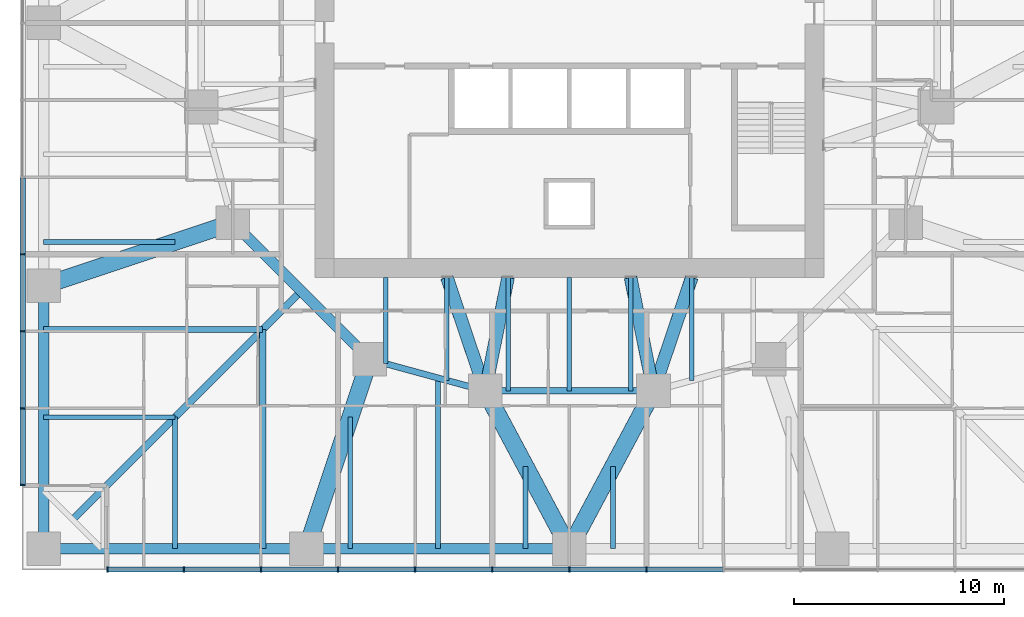
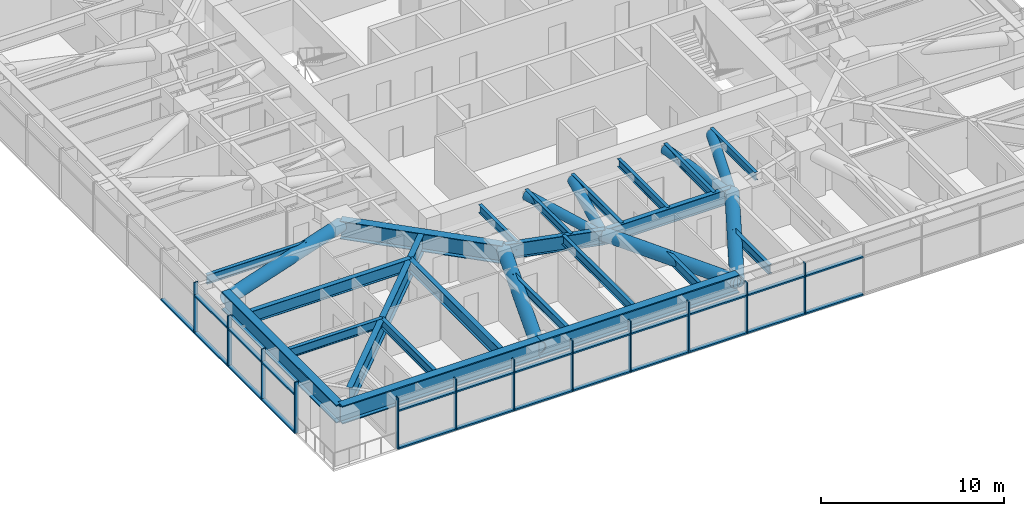
# One storey, part 2 of 17: 43 members, 22 beams, 2 elements without a shape of their own.
"""IFC4 building model written with IfcOpenShell, lengths in metres."""

import ifcopenshell
import ifcopenshell.guid

model = None  # the IFC model being written
_history = None  # IfcOwnerHistory: only IFC2X3 demands one
_inside = {}  # id of a spatial element -> (the spatial element, [elements in it])
_under = {}  # id of a project, library or spatial element -> (it, [spatial elements below it])
_declared = {}  # id of a project -> (the project, [libraries it declares])
_typed = {}  # id of a type object -> (the type object, [elements of that type])
_made_of = {}  # id of a material, layer set ... -> (it, [elements and type objects made of it])


def new_model(schema):
    """Start an empty IFC model of exactly this schema.

    Asked for "IFC4X3", IfcOpenShell would pick the latest addendum, in which some entities
    have other attributes; the version numbers below select the first issue.
    IFC2X3 requires an IfcOwnerHistory on every rooted entity: one is made here for all.
    """
    global model, _history
    if schema == "IFC4X3":
        model = ifcopenshell.file(schema_version=(4, 3, 0, 0))
    else:
        model = ifcopenshell.file(schema=schema)
    _inside.clear()
    _under.clear()
    _declared.clear()
    _typed.clear()
    _made_of.clear()
    _history = None
    if model.schema == "IFC2X3":
        org = make("IfcOrganization", Name="unknown")
        user = make(
            "IfcPersonAndOrganization",
            ThePerson=make("IfcPerson", FamilyName="unknown"),
            TheOrganization=org,
        )
        app = make(
            "IfcApplication",
            ApplicationDeveloper=org,
            Version="unknown",
            ApplicationFullName="unknown",
            ApplicationIdentifier="unknown",
        )
        _history = make(
            "IfcOwnerHistory",
            OwningUser=user,
            OwningApplication=app,
            ChangeAction="ADDED",
            CreationDate=0,
        )
    return model


def make(cls, **values):
    """One entity of the class cls with the attributes given. An attribute that is None is left unset."""
    return model.create_entity(
        cls, **{name: value for name, value in values.items() if value is not None}
    )


def rooted(cls, **values):
    """An entity with a GlobalId (a new one), such as an element, a storey or a relation."""
    return make(cls, GlobalId=ifcopenshell.guid.new(), OwnerHistory=_history, **values)


def si_unit(unit_type, name, prefix=None):
    """IfcSIUnit, for example si_unit("LENGTHUNIT", "METRE", prefix="MILLI")."""
    return make("IfcSIUnit", UnitType=unit_type, Prefix=prefix, Name=name)


def assignment(units):
    """IfcUnitAssignment: the units of a project."""
    return None if units is None else make("IfcUnitAssignment", Units=units)


def point(xyz):
    """IfcCartesianPoint."""
    return None if xyz is None else make("IfcCartesianPoint", Coordinates=xyz)


def direction(xyz):
    """IfcDirection."""
    return None if xyz is None else make("IfcDirection", DirectionRatios=xyz)


def frame(location, z_axis=None, x_axis=None):
    """IfcAxis2Placement3D, a coordinate frame: its origin and axes. An axis left out is left unset."""
    return make(
        "IfcAxis2Placement3D",
        Location=point(location),
        Axis=direction(z_axis),
        RefDirection=direction(x_axis),
    )


def frame_2d(location, x_axis=None):
    """IfcAxis2Placement2D, a coordinate frame in the plane: its origin and x axis."""
    return make(
        "IfcAxis2Placement2D", Location=point(location), RefDirection=direction(x_axis)
    )


def origin():
    """The frame at (0, 0, 0) with its axes left unset."""
    return frame((0.0, 0.0, 0.0))


def origin_2d():
    """The frame at (0, 0) in the plane with its x axis left unset."""
    return frame_2d((0.0, 0.0))


def place(relative_to, where):
    """IfcLocalPlacement: puts the frame where relative to a parent placement (None: the world)."""
    return make(
        "IfcLocalPlacement", PlacementRelTo=relative_to, RelativePlacement=where
    )


def context(
    kind, dimensions, precision=None, world=None, true_north=None, identifier=None
):
    """IfcGeometricRepresentationContext, for example the 3D "Model" context."""
    return make(
        "IfcGeometricRepresentationContext",
        ContextIdentifier=identifier,
        ContextType=kind,
        CoordinateSpaceDimension=dimensions,
        Precision=precision,
        WorldCoordinateSystem=world,
        TrueNorth=true_north,
    )


def subcontext(parent, identifier, kind, view, scale=None):
    """IfcGeometricRepresentationSubContext, for example "Body" below "Model"."""
    return make(
        "IfcGeometricRepresentationSubContext",
        ContextIdentifier=identifier,
        ContextType=kind,
        ParentContext=parent,
        TargetScale=scale,
        TargetView=view,
    )


def project(units=None, contexts=None):
    """IfcProject with its units and contexts."""
    return rooted(
        "IfcProject",
        Name="project",
        RepresentationContexts=contexts,
        UnitsInContext=assignment(units),
    )


def spatial(cls, under=None, at=None, **own):
    """A site, building, storey or space (cls), placed at a placement, below another one or the project."""
    s = rooted(cls, ObjectPlacement=at, **own)
    if under is not None:
        _under.setdefault(under.id(), (under, []))[1].append(s)
    return s


def profile(cls, at=None, kind="AREA", **sizes):
    """A parametric profile (cls). Its sizes go by their IFC names, for example OverallWidth=200.0."""
    return make(cls, ProfileType=kind, Position=at, **sizes)


def rectangle(**sizes):
    """IfcRectangleProfileDef."""
    return profile("IfcRectangleProfileDef", **sizes)


def hollow_circle(**sizes):
    """IfcCircleHollowProfileDef."""
    return profile("IfcCircleHollowProfileDef", **sizes)


def i_section(**sizes):
    """IfcIShapeProfileDef."""
    return profile("IfcIShapeProfileDef", **sizes)


def extrude(swept, where, along, depth):
    """IfcExtrudedAreaSolid: the profile swept, set in the frame where, extruded along a direction by depth."""
    return make(
        "IfcExtrudedAreaSolid",
        SweptArea=swept,
        Position=where,
        ExtrudedDirection=direction(along),
        Depth=depth,
    )


def shape(context_of_items, identifier, shape_type, items):
    """IfcShapeRepresentation: the items that make up one representation, for example the "Body"."""
    return make(
        "IfcShapeRepresentation",
        ContextOfItems=context_of_items,
        RepresentationIdentifier=identifier,
        RepresentationType=shape_type,
        Items=items,
    )


def material(Name=None, Category=None):
    """IfcMaterial."""
    return make("IfcMaterial", Name=Name, Category=Category)


def material_profile(
    of_material, cross_section, Name=None, Category=None, Priority=None
):
    """IfcMaterialProfile: a cross section and its material."""
    return make(
        "IfcMaterialProfile",
        Name=Name,
        Material=of_material,
        Profile=cross_section,
        Priority=Priority,
        Category=Category,
    )


def profile_set(profiles, Name=None, composite=None):
    """IfcMaterialProfileSet."""
    return make(
        "IfcMaterialProfileSet",
        Name=Name,
        MaterialProfiles=profiles,
        CompositeProfile=composite,
    )


def made_of(thing, what):
    """Note that an element or type object is made of a material, layer set ...; save() writes the relation."""
    if what is not None:
        _made_of.setdefault(what.id(), (what, []))[1].append(thing)
    return thing


def type_object(cls, material=None, **own):
    """A type object (cls), such as IfcWallType, which elements share."""
    return made_of(rooted(cls, **own), material)


def element(
    cls,
    number,
    at=None,
    inside=None,
    cuts=None,
    type_object=None,
    material=None,
    context=None,
    identifier="Body",
    shape_type=None,
    held_by="IfcProductDefinitionShape",
    body=None,
    shapes=None,
    **own,
):
    """One element of the class cls, such as IfcWall. Its Tag is "e" and its number.

    at: its placement. inside: the storey or other place that contains it. cuts: it is an
    opening in that element (IfcRelVoidsElement). A single representation is given by context,
    identifier, shape_type and body (its items); several are given by shapes. held_by: the class
    of the entity that holds the representations. save() writes the other relations.
    """
    e = rooted(cls, Tag="e%d" % number, ObjectPlacement=at, **own)
    if body is not None:
        shapes = [shape(context, identifier, shape_type, body)]
    if shapes is not None:
        e.Representation = make(held_by, Representations=shapes)
    if inside is not None:
        _inside.setdefault(inside.id(), (inside, []))[1].append(e)
    if cuts is not None:
        rooted(
            "IfcRelVoidsElement", RelatingBuildingElement=cuts, RelatedOpeningElement=e
        )
    if type_object is not None:
        _typed.setdefault(type_object.id(), (type_object, []))[1].append(e)
    return made_of(e, material)


def aggregate(whole, parts):
    """IfcRelAggregates: a whole, such as a stair, and the parts it consists of."""
    return rooted("IfcRelAggregates", RelatingObject=whole, RelatedObjects=parts)


def save(model, path):
    """Write the relations noted so far, then the file.

    IfcRelAggregates (storeys below a building ...), IfcRelContainedInSpatialStructure (elements
    in a storey), IfcRelDefinesByType, IfcRelAssociatesMaterial and IfcRelDeclares: one each for
    every whole, place, type object, material and project.
    """
    for whole, parts in _under.values():
        aggregate(whole, parts)
    for where, things in _inside.values():
        rooted(
            "IfcRelContainedInSpatialStructure",
            RelatedElements=things,
            RelatingStructure=where,
        )
    for kind, things in _typed.values():
        rooted("IfcRelDefinesByType", RelatedObjects=things, RelatingType=kind)
    for what, things in _made_of.values():
        rooted("IfcRelAssociatesMaterial", RelatedObjects=things, RelatingMaterial=what)
    for by, libraries in _declared.values():
        rooted("IfcRelDeclares", RelatingContext=by, RelatedDefinitions=libraries)
    model.write(path)


model = new_model("IFC4")

# Units and contexts
model_context = context("Model", 3, precision=1e-05, world=origin(), true_north=direction((0.0, 1.0)))
body_context = subcontext(model_context, "Body", "Model", "MODEL_VIEW")
ifc_project = project(units=[si_unit("LENGTHUNIT", "METRE"), si_unit("AREAUNIT", "SQUARE_METRE"), si_unit("VOLUMEUNIT", "CUBIC_METRE"), si_unit("PLANEANGLEUNIT", "RADIAN"), si_unit("MASSUNIT", "GRAM", prefix="KILO")], contexts=[model_context])

# Site, building, storey
site_placement = place(None, origin())
site = spatial("IfcSite", under=ifc_project, at=site_placement, CompositionType="ELEMENT")
building_placement = place(site_placement, origin())
building = spatial("IfcBuilding", under=site, at=building_placement, Name="Torsade Residences", CompositionType="ELEMENT")
storey_placement = place(building_placement, frame((0.0, 0.0, 38.800048828125)))
storey = spatial("IfcBuildingStorey", under=building, at=storey_placement, Name="L10", CompositionType="ELEMENT", Elevation=38.800048828125)

# Beam
ifc_material_1 = material(Name="Steel grade 300", Category="steel")
ifc_material_profile_1 = material_profile(ifc_material_1, i_section(OverallWidth=0.35009765625, OverallDepth=1.199951171875, WebThickness=0.01611328125, FlangeThickness=0.028076171875, at=origin_2d()), Name="1200WB278")
ifc_profile_set_1 = profile_set([ifc_material_profile_1], Name="Steel grade 300")
beam_type_1 = type_object("IfcBeamType", Name="CORNER GIRDER 1200WB278", PredefinedType="BEAM", material=ifc_profile_set_1)
beam_1_placement = place(storey_placement, frame((16.375, 6.375, 2.599853515625), z_axis=(0.707106781187, 0.707106781187, 0.0), x_axis=(-0.707106781187, 0.707106781187, 0.0)))
element("IfcBeam", 1, at=beam_1_placement, inside=storey, type_object=beam_type_1, Name="Corner girder 01 L11", PredefinedType="BEAM", context=body_context, shape_type="SweptSolid", body=[
    extrude(i_section(OverallWidth=0.35009765625, OverallDepth=1.199951171875, WebThickness=0.01611328125, FlangeThickness=0.028076171875, at=origin_2d()), origin(), (0.0, 0.0, 1.0), 15.379638671875),
])

# Curtain wall, members
ifc_material_2 = material(Name="Aluminium and glass", Category="aluminium")
curtain_wall_type = type_object("IfcCurtainWallType", Name="FRITTED GLASS CURTAIN WALL LOW ZONE", PredefinedType="NOTDEFINED", material=ifc_material_2)
curtain_wall_1_placement = place(storey_placement, origin())
curtain_wall_1 = element("IfcCurtainWall", 2, at=curtain_wall_1_placement, inside=storey, type_object=curtain_wall_type, Name="Curtain wall L10 face 1", PredefinedType="NOTDEFINED")
ifc_material_3 = material(Name="Aluminium mullion", Category="aluminium")
ifc_material_profile_2 = material_profile(ifc_material_3, rectangle(XDim=0.25, YDim=0.06494140625, at=origin_2d()), Name="CURTAIN WALL MULLION 250x65")
ifc_profile_set_2 = profile_set([ifc_material_profile_2], Name="Aluminium mullion")
member_type_1 = type_object("IfcMemberType", Name="CURTAIN WALL MULLION 250x65", PredefinedType="MULLION", material=ifc_profile_set_2)
member_1_placement = place(storey_placement, frame((18.032470703125, 4.0, 0.0), z_axis=(0.0, 0.0, 1.0), x_axis=(0.0, 1.0, 0.0)))
member_1 = element("IfcMember", 3, at=member_1_placement, type_object=member_type_1, Name="Mullion 1", PredefinedType="MULLION", context=body_context, shape_type="SweptSolid", body=[
    extrude(rectangle(XDim=0.25, YDim=0.06494140625, at=origin_2d()), origin(), (0.0, 0.0, 1.0), 3.39990234375),
])
member_2_placement = place(storey_placement, frame((21.666748046875, 4.0, 0.0), z_axis=(0.0, 0.0, 1.0), x_axis=(0.0, 1.0, 0.0)))
member_2 = element("IfcMember", 4, at=member_2_placement, type_object=member_type_1, Name="Mullion 2", PredefinedType="MULLION", context=body_context, shape_type="SweptSolid", body=[
    extrude(rectangle(XDim=0.25, YDim=0.06494140625, at=origin_2d()), origin(), (0.0, 0.0, 1.0), 3.39990234375),
])
member_3_placement = place(storey_placement, frame((25.333251953125, 4.0, 0.0), z_axis=(0.0, 0.0, 1.0), x_axis=(0.0, 1.0, 0.0)))
member_3 = element("IfcMember", 5, at=member_3_placement, type_object=member_type_1, Name="Mullion 3", PredefinedType="MULLION", context=body_context, shape_type="SweptSolid", body=[
    extrude(rectangle(XDim=0.25, YDim=0.06494140625, at=origin_2d()), origin(), (0.0, 0.0, 1.0), 3.39990234375),
])
member_4_placement = place(storey_placement, frame((29.0, 4.0, 0.0), z_axis=(0.0, 0.0, 1.0), x_axis=(0.0, 1.0, 0.0)))
member_4 = element("IfcMember", 6, at=member_4_placement, type_object=member_type_1, Name="Mullion 4", PredefinedType="MULLION", context=body_context, shape_type="SweptSolid", body=[
    extrude(rectangle(XDim=0.25, YDim=0.06494140625, at=origin_2d()), origin(), (0.0, 0.0, 1.0), 3.39990234375),
])
member_5_placement = place(storey_placement, frame((32.666748046875, 4.0, 0.0), z_axis=(0.0, 0.0, 1.0), x_axis=(0.0, 1.0, 0.0)))
member_5 = element("IfcMember", 7, at=member_5_placement, type_object=member_type_1, Name="Mullion 5", PredefinedType="MULLION", context=body_context, shape_type="SweptSolid", body=[
    extrude(rectangle(XDim=0.25, YDim=0.06494140625, at=origin_2d()), origin(), (0.0, 0.0, 1.0), 3.39990234375),
])
member_6_placement = place(storey_placement, frame((36.333251953125, 4.0, 0.0), z_axis=(0.0, 0.0, 1.0), x_axis=(0.0, 1.0, 0.0)))
member_6 = element("IfcMember", 8, at=member_6_placement, type_object=member_type_1, Name="Mullion 6", PredefinedType="MULLION", context=body_context, shape_type="SweptSolid", body=[
    extrude(rectangle(XDim=0.25, YDim=0.06494140625, at=origin_2d()), origin(), (0.0, 0.0, 1.0), 3.39990234375),
])
member_7_placement = place(storey_placement, frame((40.0, 4.0, 0.0), z_axis=(0.0, 0.0, 1.0), x_axis=(0.0, 1.0, 0.0)))
member_7 = element("IfcMember", 9, at=member_7_placement, type_object=member_type_1, Name="Mullion 7", PredefinedType="MULLION", context=body_context, shape_type="SweptSolid", body=[
    extrude(rectangle(XDim=0.25, YDim=0.06494140625, at=origin_2d()), origin(), (0.0, 0.0, 1.0), 3.39990234375),
])
member_8_placement = place(storey_placement, frame((43.666748046875, 4.0, 0.0), z_axis=(0.0, 0.0, 1.0), x_axis=(0.0, 1.0, 0.0)))
member_8 = element("IfcMember", 10, at=member_8_placement, type_object=member_type_1, Name="Mullion 8", PredefinedType="MULLION", context=body_context, shape_type="SweptSolid", body=[
    extrude(rectangle(XDim=0.25, YDim=0.06494140625, at=origin_2d()), origin(), (0.0, 0.0, 1.0), 3.39990234375),
])

curtain_wall_2_placement = place(storey_placement, origin())
curtain_wall_2 = element("IfcCurtainWall", 11, at=curtain_wall_2_placement, inside=storey, type_object=curtain_wall_type, Name="Curtain wall L10 face 10", PredefinedType="NOTDEFINED")
member_9_placement = place(storey_placement, frame((14.0, 19.0, 0.0), z_axis=(0.0, 0.0, 1.0), x_axis=(1.0, 0.0, 0.0)))
member_9 = element("IfcMember", 12, at=member_9_placement, type_object=member_type_1, Name="Mullion 10", PredefinedType="MULLION", context=body_context, shape_type="SweptSolid", body=[
    extrude(rectangle(XDim=0.25, YDim=0.06494140625, at=origin_2d()), origin(), (0.0, 0.0, 1.0), 3.39990234375),
])
member_10_placement = place(storey_placement, frame((14.0, 15.333251953125, 0.0), z_axis=(0.0, 0.0, 1.0), x_axis=(1.0, 0.0, 0.0)))
member_10 = element("IfcMember", 13, at=member_10_placement, type_object=member_type_1, Name="Mullion 11", PredefinedType="MULLION", context=body_context, shape_type="SweptSolid", body=[
    extrude(rectangle(XDim=0.25, YDim=0.06494140625, at=origin_2d()), origin(), (0.0, 0.0, 1.0), 3.39990234375),
])
member_11_placement = place(storey_placement, frame((14.0, 11.666748046875, 0.0), z_axis=(0.0, 0.0, 1.0), x_axis=(1.0, 0.0, 0.0)))
member_11 = element("IfcMember", 14, at=member_11_placement, type_object=member_type_1, Name="Mullion 12", PredefinedType="MULLION", context=body_context, shape_type="SweptSolid", body=[
    extrude(rectangle(XDim=0.25, YDim=0.06494140625, at=origin_2d()), origin(), (0.0, 0.0, 1.0), 3.39990234375),
])
member_12_placement = place(storey_placement, frame((14.0, 8.032470703125, 0.0), z_axis=(0.0, 0.0, 1.0), x_axis=(1.0, 0.0, 0.0)))
member_12 = element("IfcMember", 15, at=member_12_placement, type_object=member_type_1, Name="Mullion 13", PredefinedType="MULLION", context=body_context, shape_type="SweptSolid", body=[
    extrude(rectangle(XDim=0.25, YDim=0.06494140625, at=origin_2d()), origin(), (0.0, 0.0, 1.0), 3.39990234375),
])

# Member
ifc_material_4 = material(Name="Aluminium transom", Category="aluminium")
ifc_material_profile_3 = material_profile(ifc_material_4, rectangle(XDim=0.25, YDim=0.10009765625, at=origin_2d()), Name="CURTAIN WALL TRANSOM 250x100")
ifc_profile_set_3 = profile_set([ifc_material_profile_3], Name="Aluminium transom")
member_type_2 = type_object("IfcMemberType", Name="CURTAIN WALL TRANSOM 250x100", PredefinedType="USERDEFINED", material=ifc_profile_set_3)
member_13_placement = place(storey_placement, frame((18.06494140625, 4.0, 0.050048828125), z_axis=(1.0, 0.0, 0.0), x_axis=(0.0, 1.0, 0.0)))
member_13 = element("IfcMember", 16, at=member_13_placement, type_object=member_type_2, Name="Transom 1.1", ObjectType="TRANSOM", PredefinedType="USERDEFINED", context=body_context, shape_type="SweptSolid", body=[
    extrude(rectangle(XDim=0.25, YDim=0.10009765625, at=origin_2d()), origin(), (0.0, 0.0, 1.0), 3.5693359375),
])

member_14_placement = place(storey_placement, frame((18.06494140625, 4.0, 2.550048828125), z_axis=(1.0, 0.0, 0.0), x_axis=(0.0, 1.0, 0.0)))
member_14 = element("IfcMember", 17, at=member_14_placement, type_object=member_type_2, Name="Transom 1.2", ObjectType="TRANSOM", PredefinedType="USERDEFINED", context=body_context, shape_type="SweptSolid", body=[
    extrude(rectangle(XDim=0.25, YDim=0.10009765625, at=origin_2d()), origin(), (0.0, 0.0, 1.0), 3.5693359375),
])

member_15_placement = place(storey_placement, frame((21.69921875, 4.0, 0.050048828125), z_axis=(1.0, 0.0, 0.0), x_axis=(0.0, 1.0, 0.0)))
member_15 = element("IfcMember", 18, at=member_15_placement, type_object=member_type_2, Name="Transom 2.1", ObjectType="TRANSOM", PredefinedType="USERDEFINED", context=body_context, shape_type="SweptSolid", body=[
    extrude(rectangle(XDim=0.25, YDim=0.10009765625, at=origin_2d()), origin(), (0.0, 0.0, 1.0), 3.6015625),
])

member_16_placement = place(storey_placement, frame((21.69921875, 4.0, 2.550048828125), z_axis=(1.0, 0.0, 0.0), x_axis=(0.0, 1.0, 0.0)))
member_16 = element("IfcMember", 19, at=member_16_placement, type_object=member_type_2, Name="Transom 2.2", ObjectType="TRANSOM", PredefinedType="USERDEFINED", context=body_context, shape_type="SweptSolid", body=[
    extrude(rectangle(XDim=0.25, YDim=0.10009765625, at=origin_2d()), origin(), (0.0, 0.0, 1.0), 3.6015625),
])

member_17_placement = place(storey_placement, frame((25.36572265625, 4.0, 0.050048828125), z_axis=(1.0, 0.0, 0.0), x_axis=(0.0, 1.0, 0.0)))
member_17 = element("IfcMember", 20, at=member_17_placement, type_object=member_type_2, Name="Transom 3.1", ObjectType="TRANSOM", PredefinedType="USERDEFINED", context=body_context, shape_type="SweptSolid", body=[
    extrude(rectangle(XDim=0.25, YDim=0.10009765625, at=origin_2d()), origin(), (0.0, 0.0, 1.0), 3.601806640625),
])

member_18_placement = place(storey_placement, frame((25.36572265625, 4.0, 2.550048828125), z_axis=(1.0, 0.0, 0.0), x_axis=(0.0, 1.0, 0.0)))
member_18 = element("IfcMember", 21, at=member_18_placement, type_object=member_type_2, Name="Transom 3.2", ObjectType="TRANSOM", PredefinedType="USERDEFINED", context=body_context, shape_type="SweptSolid", body=[
    extrude(rectangle(XDim=0.25, YDim=0.10009765625, at=origin_2d()), origin(), (0.0, 0.0, 1.0), 3.601806640625),
])

member_19_placement = place(storey_placement, frame((29.032470703125, 4.0, 0.050048828125), z_axis=(1.0, 0.0, 0.0), x_axis=(0.0, 1.0, 0.0)))
member_19 = element("IfcMember", 22, at=member_19_placement, type_object=member_type_2, Name="Transom 4.1", ObjectType="TRANSOM", PredefinedType="USERDEFINED", context=body_context, shape_type="SweptSolid", body=[
    extrude(rectangle(XDim=0.25, YDim=0.10009765625, at=origin_2d()), origin(), (0.0, 0.0, 1.0), 3.601806640625),
])

member_20_placement = place(storey_placement, frame((29.032470703125, 4.0, 2.550048828125), z_axis=(1.0, 0.0, 0.0), x_axis=(0.0, 1.0, 0.0)))
member_20 = element("IfcMember", 23, at=member_20_placement, type_object=member_type_2, Name="Transom 4.2", ObjectType="TRANSOM", PredefinedType="USERDEFINED", context=body_context, shape_type="SweptSolid", body=[
    extrude(rectangle(XDim=0.25, YDim=0.10009765625, at=origin_2d()), origin(), (0.0, 0.0, 1.0), 3.601806640625),
])

member_21_placement = place(storey_placement, frame((32.69921875, 4.0, 0.050048828125), z_axis=(1.0, 0.0, 0.0), x_axis=(0.0, 1.0, 0.0)))
member_21 = element("IfcMember", 24, at=member_21_placement, type_object=member_type_2, Name="Transom 5.1", ObjectType="TRANSOM", PredefinedType="USERDEFINED", context=body_context, shape_type="SweptSolid", body=[
    extrude(rectangle(XDim=0.25, YDim=0.10009765625, at=origin_2d()), origin(), (0.0, 0.0, 1.0), 3.6015625),
])

member_22_placement = place(storey_placement, frame((32.69921875, 4.0, 2.550048828125), z_axis=(1.0, 0.0, 0.0), x_axis=(0.0, 1.0, 0.0)))
member_22 = element("IfcMember", 25, at=member_22_placement, type_object=member_type_2, Name="Transom 5.2", ObjectType="TRANSOM", PredefinedType="USERDEFINED", context=body_context, shape_type="SweptSolid", body=[
    extrude(rectangle(XDim=0.25, YDim=0.10009765625, at=origin_2d()), origin(), (0.0, 0.0, 1.0), 3.6015625),
])

member_23_placement = place(storey_placement, frame((36.36572265625, 4.0, 0.050048828125), z_axis=(1.0, 0.0, 0.0), x_axis=(0.0, 1.0, 0.0)))
member_23 = element("IfcMember", 26, at=member_23_placement, type_object=member_type_2, Name="Transom 6.1", ObjectType="TRANSOM", PredefinedType="USERDEFINED", context=body_context, shape_type="SweptSolid", body=[
    extrude(rectangle(XDim=0.25, YDim=0.10009765625, at=origin_2d()), origin(), (0.0, 0.0, 1.0), 3.601806640625),
])

member_24_placement = place(storey_placement, frame((36.36572265625, 4.0, 2.550048828125), z_axis=(1.0, 0.0, 0.0), x_axis=(0.0, 1.0, 0.0)))
member_24 = element("IfcMember", 27, at=member_24_placement, type_object=member_type_2, Name="Transom 6.2", ObjectType="TRANSOM", PredefinedType="USERDEFINED", context=body_context, shape_type="SweptSolid", body=[
    extrude(rectangle(XDim=0.25, YDim=0.10009765625, at=origin_2d()), origin(), (0.0, 0.0, 1.0), 3.601806640625),
])

member_25_placement = place(storey_placement, frame((40.032470703125, 4.0, 0.050048828125), z_axis=(1.0, 0.0, 0.0), x_axis=(0.0, 1.0, 0.0)))
member_25 = element("IfcMember", 28, at=member_25_placement, type_object=member_type_2, Name="Transom 7.1", ObjectType="TRANSOM", PredefinedType="USERDEFINED", context=body_context, shape_type="SweptSolid", body=[
    extrude(rectangle(XDim=0.25, YDim=0.10009765625, at=origin_2d()), origin(), (0.0, 0.0, 1.0), 3.601806640625),
])

member_26_placement = place(storey_placement, frame((40.032470703125, 4.0, 2.550048828125), z_axis=(1.0, 0.0, 0.0), x_axis=(0.0, 1.0, 0.0)))
member_26 = element("IfcMember", 29, at=member_26_placement, type_object=member_type_2, Name="Transom 7.2", ObjectType="TRANSOM", PredefinedType="USERDEFINED", context=body_context, shape_type="SweptSolid", body=[
    extrude(rectangle(XDim=0.25, YDim=0.10009765625, at=origin_2d()), origin(), (0.0, 0.0, 1.0), 3.601806640625),
])

member_27_placement = place(storey_placement, frame((43.69921875, 4.0, 0.050048828125), z_axis=(1.0, 0.0, 0.0), x_axis=(0.0, 1.0, 0.0)))
member_27 = element("IfcMember", 30, at=member_27_placement, type_object=member_type_2, Name="Transom 8.1", ObjectType="TRANSOM", PredefinedType="USERDEFINED", context=body_context, shape_type="SweptSolid", body=[
    extrude(rectangle(XDim=0.25, YDim=0.10009765625, at=origin_2d()), origin(), (0.0, 0.0, 1.0), 3.6015625),
])

member_28_placement = place(storey_placement, frame((43.69921875, 4.0, 2.550048828125), z_axis=(1.0, 0.0, 0.0), x_axis=(0.0, 1.0, 0.0)))
member_28 = element("IfcMember", 31, at=member_28_placement, type_object=member_type_2, Name="Transom 8.2", ObjectType="TRANSOM", PredefinedType="USERDEFINED", context=body_context, shape_type="SweptSolid", body=[
    extrude(rectangle(XDim=0.25, YDim=0.10009765625, at=origin_2d()), origin(), (0.0, 0.0, 1.0), 3.6015625),
])

aggregate(curtain_wall_1, [member_1, member_2, member_3, member_4, member_5, member_6, member_7, member_8, member_13, member_14, member_15, member_16, member_17, member_18, member_19, member_20, member_21, member_22, member_23, member_24, member_25, member_26, member_27, member_28])

member_29_placement = place(storey_placement, frame((14.0, 22.63427734375, 0.050048828125), z_axis=(0.0, -1.0, 0.0), x_axis=(1.0, 0.0, 0.0)))
member_29 = element("IfcMember", 32, at=member_29_placement, type_object=member_type_2, Name="Transom 9.1", ObjectType="TRANSOM", PredefinedType="USERDEFINED", context=body_context, shape_type="SweptSolid", body=[
    extrude(rectangle(XDim=0.25, YDim=0.10009765625, at=origin_2d()), origin(), (0.0, 0.0, 1.0), 3.601806640625),
])

member_30_placement = place(storey_placement, frame((14.0, 18.967529296875, 0.050048828125), z_axis=(0.0, -1.0, 0.0), x_axis=(1.0, 0.0, 0.0)))
member_30 = element("IfcMember", 33, at=member_30_placement, type_object=member_type_2, Name="Transom 10.1", ObjectType="TRANSOM", PredefinedType="USERDEFINED", context=body_context, shape_type="SweptSolid", body=[
    extrude(rectangle(XDim=0.25, YDim=0.10009765625, at=origin_2d()), origin(), (0.0, 0.0, 1.0), 3.601806640625),
])

member_31_placement = place(storey_placement, frame((14.0, 18.967529296875, 2.550048828125), z_axis=(0.0, -1.0, 0.0), x_axis=(1.0, 0.0, 0.0)))
member_31 = element("IfcMember", 34, at=member_31_placement, type_object=member_type_2, Name="Transom 10.2", ObjectType="TRANSOM", PredefinedType="USERDEFINED", context=body_context, shape_type="SweptSolid", body=[
    extrude(rectangle(XDim=0.25, YDim=0.10009765625, at=origin_2d()), origin(), (0.0, 0.0, 1.0), 3.601806640625),
])

member_32_placement = place(storey_placement, frame((14.0, 15.30078125, 0.050048828125), z_axis=(0.0, -1.0, 0.0), x_axis=(1.0, 0.0, 0.0)))
member_32 = element("IfcMember", 35, at=member_32_placement, type_object=member_type_2, Name="Transom 11.1", ObjectType="TRANSOM", PredefinedType="USERDEFINED", context=body_context, shape_type="SweptSolid", body=[
    extrude(rectangle(XDim=0.25, YDim=0.10009765625, at=origin_2d()), origin(), (0.0, 0.0, 1.0), 3.6015625),
])

member_33_placement = place(storey_placement, frame((14.0, 15.30078125, 2.550048828125), z_axis=(0.0, -1.0, 0.0), x_axis=(1.0, 0.0, 0.0)))
member_33 = element("IfcMember", 36, at=member_33_placement, type_object=member_type_2, Name="Transom 11.2", ObjectType="TRANSOM", PredefinedType="USERDEFINED", context=body_context, shape_type="SweptSolid", body=[
    extrude(rectangle(XDim=0.25, YDim=0.10009765625, at=origin_2d()), origin(), (0.0, 0.0, 1.0), 3.6015625),
])

member_34_placement = place(storey_placement, frame((14.0, 11.63427734375, 0.050048828125), z_axis=(0.0, -1.0, 0.0), x_axis=(1.0, 0.0, 0.0)))
member_34 = element("IfcMember", 37, at=member_34_placement, type_object=member_type_2, Name="Transom 12.1", ObjectType="TRANSOM", PredefinedType="USERDEFINED", context=body_context, shape_type="SweptSolid", body=[
    extrude(rectangle(XDim=0.25, YDim=0.10009765625, at=origin_2d()), origin(), (0.0, 0.0, 1.0), 3.5693359375),
])

member_35_placement = place(storey_placement, frame((14.0, 11.63427734375, 2.550048828125), z_axis=(0.0, -1.0, 0.0), x_axis=(1.0, 0.0, 0.0)))
member_35 = element("IfcMember", 38, at=member_35_placement, type_object=member_type_2, Name="Transom 12.2", ObjectType="TRANSOM", PredefinedType="USERDEFINED", context=body_context, shape_type="SweptSolid", body=[
    extrude(rectangle(XDim=0.25, YDim=0.10009765625, at=origin_2d()), origin(), (0.0, 0.0, 1.0), 3.5693359375),
])

aggregate(curtain_wall_2, [member_9, member_10, member_11, member_12, member_29, member_30, member_31, member_32, member_33, member_34, member_35])

# Beams
ifc_material_5 = material(Name="Steel grade 300", Category="steel")
ifc_material_profile_4 = material_profile(ifc_material_5, i_section(OverallWidth=0.208984375, OverallDepth=0.528076171875, WebThickness=0.009521484375, FlangeThickness=0.01318359375, FilletRadius=0.013916015625, at=origin_2d()), Name="530UB82.0")
ifc_profile_set_4 = profile_set([ifc_material_profile_4], Name="Steel grade 300")
beam_type_2 = type_object("IfcBeamType", Name="INNER FLOOR BEAM 530UB82.0", PredefinedType="JOIST", material=ifc_profile_set_4)
beam_2_placement = place(storey_placement, frame((45.824951171875, 17.89990234375, 2.93603515625), z_axis=(0.0, -1.0, 0.0), x_axis=(1.0, 0.0, 0.0)))
element("IfcBeam", 39, at=beam_2_placement, inside=storey, type_object=beam_type_2, Name="Inner floor beam IS02 L11", PredefinedType="JOIST", context=body_context, shape_type="SweptSolid", body=[
    extrude(i_section(OverallWidth=0.208984375, OverallDepth=0.528076171875, WebThickness=0.009521484375, FlangeThickness=0.01318359375, FilletRadius=0.013916015625, at=origin_2d()), origin(), (0.0, 0.0, 1.0), 4.902099609375),
])
for number, where, z_axis, x_axis, name in (
    (40, (42.91259765625, 17.89990234375, 2.93603515625), (0.0, -1.0, 0.0), (1.0, 0.0, 0.0), "Inner floor beam IS03 L11"),
    (41, (40.0, 17.89990234375, 2.93603515625), (0.0, -1.0, 0.0), (1.0, 0.0, 0.0), "Inner floor beam IS04 L11"),
    (42, (37.08740234375, 17.89990234375, 2.93603515625), (0.0, -1.0, 0.0), (1.0, 0.0, 0.0), "Inner floor beam IS05 L11"),
):
    element("IfcBeam", number, at=place(storey_placement, frame(where, z_axis=z_axis, x_axis=x_axis)), inside=storey, type_object=beam_type_2, Name=name, PredefinedType="JOIST", context=body_context, shape_type="SweptSolid", body=[
        extrude(i_section(OverallWidth=0.208984375, OverallDepth=0.528076171875, WebThickness=0.009521484375, FlangeThickness=0.01318359375, FilletRadius=0.013916015625, at=origin_2d()), origin(), (0.0, 0.0, 1.0), 5.39990234375),
    ])
beam_3_placement = place(storey_placement, frame((34.175048828125, 17.89990234375, 2.93603515625), z_axis=(0.0, -1.0, 0.0), x_axis=(1.0, 0.0, 0.0)))
element("IfcBeam", 43, at=beam_3_placement, inside=storey, type_object=beam_type_2, Name="Inner floor beam IS06 L11", PredefinedType="JOIST", context=body_context, shape_type="SweptSolid", body=[
    extrude(i_section(OverallWidth=0.208984375, OverallDepth=0.528076171875, WebThickness=0.009521484375, FlangeThickness=0.01318359375, FilletRadius=0.013916015625, at=origin_2d()), origin(), (0.0, 0.0, 1.0), 4.902099609375),
])
beam_4_placement = place(storey_placement, frame((31.262451171875, 17.89990234375, 2.93603515625), z_axis=(0.0, -1.0, 0.0), x_axis=(1.0, 0.0, 0.0)))
element("IfcBeam", 44, at=beam_4_placement, inside=storey, type_object=beam_type_2, Name="Inner floor beam IS07 L11", PredefinedType="JOIST", context=body_context, shape_type="SweptSolid", body=[
    extrude(i_section(OverallWidth=0.208984375, OverallDepth=0.528076171875, WebThickness=0.009521484375, FlangeThickness=0.01318359375, FilletRadius=0.013916015625, at=origin_2d()), origin(), (0.0, 0.0, 1.0), 4.10791015625),
])
ifc_material_6 = material(Name="Steel grade 300", Category="steel")
ifc_material_profile_5 = material_profile(ifc_material_6, i_section(OverallWidth=0.5, OverallDepth=1.199951171875, WebThickness=0.01611328125, FlangeThickness=0.0400390625, at=origin_2d()), Name="1200WB455")
ifc_profile_set_5 = profile_set([ifc_material_profile_5], Name="Steel grade 300")
beam_type_3 = type_object("IfcBeamType", Name="RING CORNER GIRDER 1200WB455", PredefinedType="BEAM", material=ifc_profile_set_5)
beam_5_placement = place(storey_placement, frame((24.0, 20.5, 2.599853515625), z_axis=(0.707106781187, -0.707106781187, 0.0), x_axis=(0.707106781187, 0.707106781187, 0.0)))
element("IfcBeam", 45, at=beam_5_placement, inside=storey, type_object=beam_type_3, Name="Ring girder IR11 L11", PredefinedType="BEAM", context=body_context, shape_type="SweptSolid", body=[
    extrude(i_section(OverallWidth=0.5, OverallDepth=1.199951171875, WebThickness=0.01611328125, FlangeThickness=0.0400390625, at=origin_2d()), origin(), (0.0, 0.0, 1.0), 9.1923828125),
])
ifc_material_7 = material(Name="Steel grade 300", Category="steel")
ifc_material_profile_6 = material_profile(ifc_material_7, i_section(OverallWidth=0.300048828125, OverallDepth=1.0, WebThickness=0.01611328125, FlangeThickness=0.028076171875, at=origin_2d()), Name="1000WB215")
ifc_profile_set_6 = profile_set([ifc_material_profile_6], Name="Steel grade 300")
beam_type_4 = type_object("IfcBeamType", Name="RING GIRDER 1000WB215", PredefinedType="BEAM", material=ifc_profile_set_6)
beam_6_placement = place(storey_placement, frame((30.5, 14.0, 2.699951171875), z_axis=(0.964763821238, -0.263117405792, 0.0), x_axis=(0.263117405792, 0.964763821238, 0.0)))
element("IfcBeam", 46, at=beam_6_placement, inside=storey, type_object=beam_type_4, Name="Ring girder IR12 L11", PredefinedType="BEAM", context=body_context, shape_type="SweptSolid", body=[
    extrude(i_section(OverallWidth=0.300048828125, OverallDepth=1.0, WebThickness=0.01611328125, FlangeThickness=0.028076171875, at=origin_2d()), origin(), (0.0, 0.0, 1.0), 5.700927734375),
])
beam_7_placement = place(storey_placement, frame((36.0, 12.5, 2.699951171875), z_axis=(1.0, 0.0, 0.0), x_axis=(0.0, 1.0, 0.0)))
element("IfcBeam", 47, at=beam_7_placement, inside=storey, type_object=beam_type_4, Name="Ring girder IR13 L11", PredefinedType="BEAM", context=body_context, shape_type="SweptSolid", body=[
    extrude(i_section(OverallWidth=0.300048828125, OverallDepth=1.0, WebThickness=0.01611328125, FlangeThickness=0.028076171875, at=origin_2d()), origin(), (0.0, 0.0, 1.0), 8.0),
])
ifc_material_8 = material(Name="Steel grade 300", Category="steel")
ifc_material_profile_7 = material_profile(ifc_material_8, i_section(OverallWidth=0.22900390625, OverallDepth=0.612060546875, WebThickness=0.011962890625, FlangeThickness=0.01953125, FilletRadius=0.013916015625, at=origin_2d()), Name="610UB125")
ifc_profile_set_7 = profile_set([ifc_material_profile_7], Name="Steel grade 300")
beam_type_5 = type_object("IfcBeamType", Name="SECONDARY BEAM 610UB125", PredefinedType="JOIST", material=ifc_profile_set_7)
for number, where, z_axis, x_axis, name in (
    (48, (21.25, 5.0, 2.89404296875), (0.0, 1.0, 0.0), (-1.0, 0.0, 0.0), "Floor beam FS02 L11"),
    (49, (29.583251953125, 5.0, 2.89404296875), (0.0, 1.0, 0.0), (-1.0, 0.0, 0.0), "Floor beam FS04 L11"),
):
    element("IfcBeam", number, at=place(storey_placement, frame(where, z_axis=z_axis, x_axis=x_axis)), inside=storey, type_object=beam_type_5, Name=name, PredefinedType="JOIST", context=body_context, shape_type="SweptSolid", body=[
        extrude(i_section(OverallWidth=0.22900390625, OverallDepth=0.612060546875, WebThickness=0.011962890625, FlangeThickness=0.01953125, FilletRadius=0.013916015625, at=origin_2d()), origin(), (0.0, 0.0, 1.0), 6.25),
    ])
beam_8_placement = place(storey_placement, frame((33.75, 5.0, 2.89404296875), z_axis=(0.0, 1.0, 0.0), x_axis=(-1.0, 0.0, 0.0)))
element("IfcBeam", 50, at=beam_8_placement, inside=storey, type_object=beam_type_5, Name="Floor beam FS05 L11", PredefinedType="JOIST", context=body_context, shape_type="SweptSolid", body=[
    extrude(i_section(OverallWidth=0.22900390625, OverallDepth=0.612060546875, WebThickness=0.011962890625, FlangeThickness=0.01953125, FilletRadius=0.013916015625, at=origin_2d()), origin(), (0.0, 0.0, 1.0), 8.113525390625),
])
for number, where, z_axis, x_axis, name in (
    (51, (37.916748046875, 5.0, 2.89404296875), (0.0, 1.0, 0.0), (-1.0, 0.0, 0.0), "Floor beam FS06 L11"),
    (52, (42.083251953125, 5.0, 2.89404296875), (0.0, 1.0, 0.0), (-1.0, 0.0, 0.0), "Floor beam FS07 L11"),
):
    element("IfcBeam", number, at=place(storey_placement, frame(where, z_axis=z_axis, x_axis=x_axis)), inside=storey, type_object=beam_type_5, Name=name, PredefinedType="JOIST", context=body_context, shape_type="SweptSolid", body=[
        extrude(i_section(OverallWidth=0.22900390625, OverallDepth=0.612060546875, WebThickness=0.011962890625, FlangeThickness=0.01953125, FilletRadius=0.013916015625, at=origin_2d()), origin(), (0.0, 0.0, 1.0), 3.90625),
    ])
for number, where, z_axis, x_axis, name in (
    (53, (15.0, 19.583251953125, 2.89404296875), (1.0, 0.0, 0.0), (0.0, 1.0, 0.0), "Floor beam FW09 L11"),
    (54, (15.0, 11.25, 2.89404296875), (1.0, 0.0, 0.0), (0.0, 1.0, 0.0), "Floor beam FW11 L11"),
):
    element("IfcBeam", number, at=place(storey_placement, frame(where, z_axis=z_axis, x_axis=x_axis)), inside=storey, type_object=beam_type_5, Name=name, PredefinedType="JOIST", context=body_context, shape_type="SweptSolid", body=[
        extrude(i_section(OverallWidth=0.22900390625, OverallDepth=0.612060546875, WebThickness=0.011962890625, FlangeThickness=0.01953125, FilletRadius=0.013916015625, at=origin_2d()), origin(), (0.0, 0.0, 1.0), 6.25),
    ])
ifc_material_9 = material(Name="Steel grade 300", Category="steel")
ifc_material_profile_8 = material_profile(ifc_material_9, i_section(OverallWidth=0.300048828125, OverallDepth=0.800048828125, WebThickness=0.010009765625, FlangeThickness=0.02001953125, at=origin_2d()), Name="800WB146")
ifc_profile_set_8 = profile_set([ifc_material_profile_8], Name="Steel grade 300")
beam_type_6 = type_object("IfcBeamType", Name="SECONDARY BEAM 800WB146", PredefinedType="JOIST", material=ifc_profile_set_8)
for number, where, z_axis, x_axis, name in (
    (55, (25.416748046875, 5.0, 2.800048828125), (0.0, 1.0, 0.0), (-1.0, 0.0, 0.0), "Floor beam FS03 L11"),
    (56, (15.0, 15.416748046875, 2.800048828125), (1.0, 0.0, 0.0), (0.0, 1.0, 0.0), "Floor beam FW10 L11"),
):
    element("IfcBeam", number, at=place(storey_placement, frame(where, z_axis=z_axis, x_axis=x_axis)), inside=storey, type_object=beam_type_6, Name=name, PredefinedType="JOIST", context=body_context, shape_type="SweptSolid", body=[
        extrude(i_section(OverallWidth=0.300048828125, OverallDepth=0.800048828125, WebThickness=0.010009765625, FlangeThickness=0.02001953125, at=origin_2d()), origin(), (0.0, 0.0, 1.0), 10.416748046875),
    ])

# Members
ifc_material_10 = material(Name="Steel grade 450", Category="steel")
ifc_material_profile_9 = material_profile(ifc_material_10, hollow_circle(Radius=0.304931640625, WallThickness=0.01611328125, at=origin_2d()), Name="610.0x16.0CHS")
ifc_profile_set_9 = profile_set([ifc_material_profile_9], Name="Steel grade 450")
member_type_3 = type_object("IfcMemberType", Name="TRANSFER FLOOR BRACE 610.0x16.0CHS", PredefinedType="BRACE", material=ifc_profile_set_9)
member_36_placement = place(storey_placement, frame((36.0, 12.5, 2.599853515625), z_axis=(0.197299045909, 0.97976207845, 0.03375434957), x_axis=(-0.980320704809, 0.197411538983, 0.0)))
element("IfcMember", 57, at=member_36_placement, inside=storey, type_object=member_type_3, Name="Transfer floor brace TT1 bottom IR13IS05", PredefinedType="BRACE", context=body_context, shape_type="SweptSolid", body=[
    extrude(hollow_circle(Radius=0.304931640625, WallThickness=0.01611328125, at=origin_2d()), origin(), (0.0, 0.0, 1.0), 5.511474609375),
])
member_37_placement = place(storey_placement, frame((36.0, 12.5, 2.599853515625), z_axis=(-0.319999474368, 0.946855969774, 0.032620682203), x_axis=(-0.947360151124, -0.320169867513, 0.0)))
element("IfcMember", 58, at=member_37_placement, inside=storey, type_object=member_type_3, Name="Transfer floor brace TT1 bottom IR13IS06", PredefinedType="BRACE", context=body_context, shape_type="SweptSolid", body=[
    extrude(hollow_circle(Radius=0.304931640625, WallThickness=0.01611328125, at=origin_2d()), origin(), (0.0, 0.0, 1.0), 5.702880859375),
])
member_38_placement = place(storey_placement, frame((44.0, 12.5, 2.599853515625), z_axis=(-0.197299045909, 0.97976207845, 0.03375434957), x_axis=(-0.980320704809, -0.197411538983, 0.0)))
element("IfcMember", 59, at=member_38_placement, inside=storey, type_object=member_type_3, Name="Transfer floor brace TT1 bottom IR14IS03", PredefinedType="BRACE", context=body_context, shape_type="SweptSolid", body=[
    extrude(hollow_circle(Radius=0.304931640625, WallThickness=0.01611328125, at=origin_2d()), origin(), (0.0, 0.0, 1.0), 5.511474609375),
])
member_39_placement = place(storey_placement, frame((44.0, 12.5, 2.599853515625), z_axis=(0.319999474368, 0.946855969774, 0.032620682203), x_axis=(-0.947360151124, 0.320169867513, 0.0)))
element("IfcMember", 60, at=member_39_placement, inside=storey, type_object=member_type_3, Name="Transfer floor brace TT1 bottom IR14IS02", PredefinedType="BRACE", context=body_context, shape_type="SweptSolid", body=[
    extrude(hollow_circle(Radius=0.304931640625, WallThickness=0.01611328125, at=origin_2d()), origin(), (0.0, 0.0, 1.0), 5.702880859375),
])
ifc_material_11 = material(Name="Steel grade 450", Category="steel")
ifc_material_profile_10 = material_profile(ifc_material_11, hollow_circle(Radius=0.406494140625, WallThickness=0.02490234375, at=origin_2d()), Name="813.0x25.0CHS")
ifc_profile_set_10 = profile_set([ifc_material_profile_10], Name="Steel grade 450")
member_type_4 = type_object("IfcMemberType", Name="TRANSFER FLOOR STRUT 813.0x25.0CHS", PredefinedType="STRUT", material=ifc_profile_set_10)
member_40_placement = place(storey_placement, frame((27.5, 5.0, 2.800048828125), z_axis=(0.316227766017, 0.948683298051, 0.0), x_axis=(-0.948683298051, 0.316227766017, 0.0)))
element("IfcMember", 61, at=member_40_placement, inside=storey, type_object=member_type_4, Name="Transfer floor strut TT1 bottom 02IR12", PredefinedType="STRUT", context=body_context, shape_type="SweptSolid", body=[
    extrude(hollow_circle(Radius=0.406494140625, WallThickness=0.02490234375, at=origin_2d()), origin(), (0.0, 0.0, 1.0), 9.48681640625),
])
for number, where, z_axis, x_axis, name in (
    (62, (40.0, 5.0, 2.800048828125), (-0.470588235294, 0.882352941176, 0.0), (-0.882352941176, -0.470588235294, 0.0), "Transfer floor strut TT1 bottom 03IR13"),
    (63, (40.0, 5.0, 2.800048828125), (0.470588235294, 0.882352941176, 0.0), (-0.882352941176, 0.470588235294, 0.0), "Transfer floor strut TT1 bottom 03IR14"),
):
    element("IfcMember", number, at=place(storey_placement, frame(where, z_axis=z_axis, x_axis=x_axis)), inside=storey, type_object=member_type_4, Name=name, PredefinedType="STRUT", context=body_context, shape_type="SweptSolid", body=[
        extrude(hollow_circle(Radius=0.406494140625, WallThickness=0.02490234375, at=origin_2d()), origin(), (0.0, 0.0, 1.0), 8.5),
    ])
member_41_placement = place(storey_placement, frame((15.0, 17.5, 2.800048828125), z_axis=(0.948683298051, 0.316227766017, 0.0), x_axis=(-0.316227766017, 0.948683298051, 0.0)))
element("IfcMember", 64, at=member_41_placement, inside=storey, type_object=member_type_4, Name="Transfer floor strut TT1 bottom 16IR11", PredefinedType="STRUT", context=body_context, shape_type="SweptSolid", body=[
    extrude(hollow_circle(Radius=0.406494140625, WallThickness=0.02490234375, at=origin_2d()), origin(), (0.0, 0.0, 1.0), 9.48681640625),
])

# Beams
ifc_material_12 = material(Name="Steel grade 350", Category="steel")
ifc_material_profile_11 = material_profile(ifc_material_12, i_section(OverallWidth=0.5, OverallDepth=1.199951171875, WebThickness=0.0400390625, FlangeThickness=0.070068359375, at=origin_2d()), Name="1200x500x70x40WPG")
ifc_profile_set_11 = profile_set([ifc_material_profile_11], Name="Steel grade 350")
beam_type_7 = type_object("IfcBeamType", Name="TRANSFER TRUSS CHORD 1200x500x70x40WPG", PredefinedType="USERDEFINED", material=ifc_profile_set_11)
for number, where, z_axis, x_axis, name in (
    (65, (15.0, 5.0, 2.800048828125), (1.0, 0.0, 0.0), (0.0, 1.0, 0.0), "Transfer truss TT1 bottom chord 01"),
    (66, (27.5, 5.0, 2.800048828125), (1.0, 0.0, 0.0), (0.0, 1.0, 0.0), "Transfer truss TT1 bottom chord 02"),
    (67, (15.0, 17.5, 2.800048828125), (0.0, -1.0, 0.0), (1.0, 0.0, 0.0), "Transfer truss TT1 bottom chord 16"),
):
    element("IfcBeam", number, at=place(storey_placement, frame(where, z_axis=z_axis, x_axis=x_axis)), inside=storey, type_object=beam_type_7, Name=name, ObjectType="TRANSFER TRUSS CHORD", PredefinedType="USERDEFINED", context=body_context, shape_type="SweptSolid", body=[
        extrude(i_section(OverallWidth=0.5, OverallDepth=1.199951171875, WebThickness=0.0400390625, FlangeThickness=0.070068359375, at=origin_2d()), origin(), (0.0, 0.0, 1.0), 12.5),
    ])

save(model, "model.ifc")
